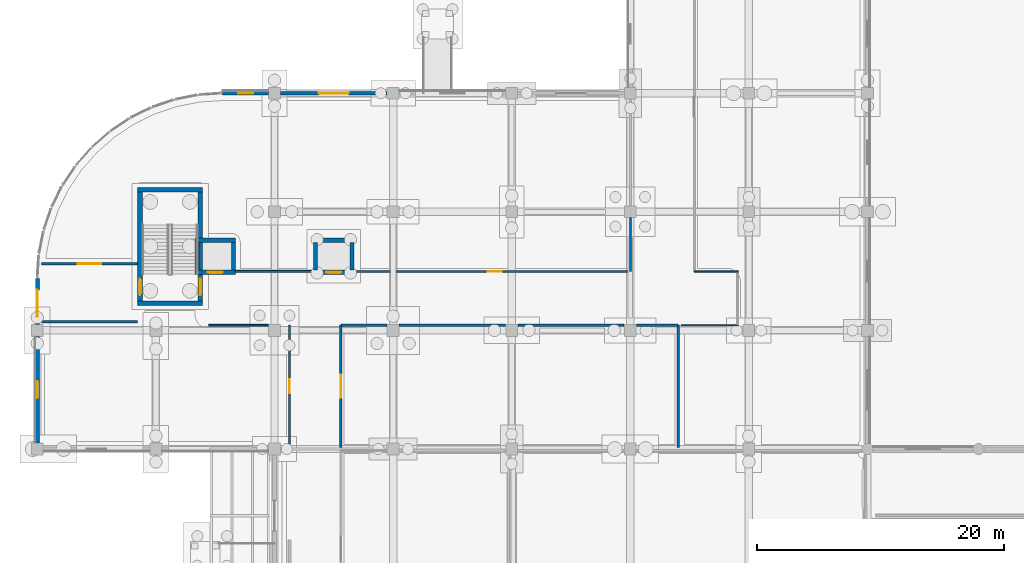
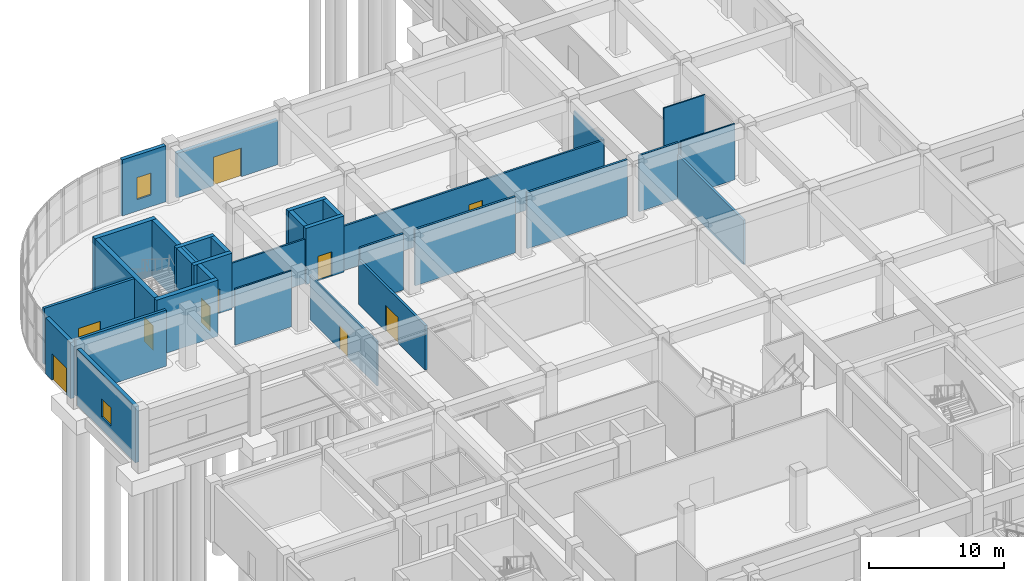
# One storey, part 34 of 74: 31 walls, 10 doors, 2 windows, 12 openings.
"""IFC4 building model written with IfcOpenShell, lengths in metres."""

from ifc_helpers import new_model, si_unit, direction, frame, frame_2d, origin, place, context, subcontext, project, spatial, rectangle, extrude, material, layer, layer_set, type_object, element, fill, save


model = new_model("IFC4")

# Units and contexts
model_context = context("Model", 3, precision=1e-05, world=origin(), true_north=direction((0.0, 1.0)))
body_context = subcontext(model_context, "Body", "Model", "MODEL_VIEW")
ifc_project = project(units=[si_unit("LENGTHUNIT", "METRE"), si_unit("AREAUNIT", "SQUARE_METRE"), si_unit("VOLUMEUNIT", "CUBIC_METRE"), si_unit("PLANEANGLEUNIT", "RADIAN"), si_unit("MASSUNIT", "GRAM", prefix="KILO")], contexts=[model_context])

# Site, building, storey
site_placement = place(None, origin())
site = spatial("IfcSite", under=ifc_project, at=site_placement, CompositionType="ELEMENT")
building_placement = place(site_placement, origin())
building = spatial("IfcBuilding", under=site, at=building_placement, Name="Cendralis Terraced Arcade", CompositionType="ELEMENT")
storey_placement = place(building_placement, origin())
storey = spatial("IfcBuildingStorey", under=building, at=storey_placement, Name="L00", CompositionType="ELEMENT", Elevation=0.0)

# Wall, opening, door
ifc_material_1 = material(Name="Gypsum plasterboard acoustic partition", Category="concrete")
ifc_layer_1 = layer(ifc_material_1, 0.195068359375, Name="WL-ACOU-195")
ifc_layer_set_1 = layer_set([ifc_layer_1], Name="Gypsum plasterboard acoustic partition")
wall_type_1 = type_object("IfcWallType", Name="WL-ACOU-195", PredefinedType="PARTITIONING", material=ifc_layer_set_1)
wall_1_placement = place(storey_placement, frame((24.580078125, 60.1201171875, 0.0), z_axis=(0.0, 0.0, 1.0), x_axis=(0.0, 1.0, 0.0)))
wall_1 = element("IfcWall", 1, at=wall_1_placement, inside=storey, type_object=wall_type_1, Name="Interior Partition Wall IW-L00-0251", PredefinedType="PARTITIONING", context=body_context, shape_type="SweptSolid", body=[
    extrude(rectangle(XDim=9.89990234375, YDim=0.195068359375, at=frame_2d((4.949951171875, 0.0))), origin(), (0.0, 0.0, 1.0), 4.030029296875),
])
opening_1_placement = place(wall_1_placement, frame((4.02490234375, 0.0, 0.0)))
opening_1 = element("IfcOpeningElement", 2, at=opening_1_placement, cuts=wall_1, Name="Opening D-L00-073", PredefinedType="OPENING", context=body_context, shape_type="SweptSolid", body=[
    extrude(rectangle(XDim=1.85009765625, YDim=2.35009765625, at=frame_2d((0.925048828125, 1.175048828125))), frame((0.0, 0.109375, 0.0), z_axis=(0.0, -1.0, 0.0), x_axis=(1.0, 0.0, 0.0)), (0.0, 0.0, 1.0), 0.218994140625),
])
ifc_material_2 = material(Name="Solid core Andean oak veneer door leaf", Category="aluminium")
door_type_1 = type_object("IfcDoorType", Name="ID-DEP-1850x2350", OperationType="DOUBLE_DOOR_SINGLE_SWING", PredefinedType="DOOR", material=ifc_material_2)
door_1_placement = place(opening_1_placement, origin())
door_1 = element("IfcDoor", 3, at=door_1_placement, inside=storey, type_object=door_type_1, Name="Homeware and Furniture Showroom - Ground Gallery Door D-L00-073", OperationType="DOUBLE_DOOR_SINGLE_SWING", OverallHeight=2.35009765625, OverallWidth=1.85009765625, PredefinedType="DOOR", context=body_context, shape_type="SweptSolid", body=[
    extrude(rectangle(XDim=1.85009765625, YDim=2.35009765625, at=frame_2d((0.925048828125, 1.175048828125))), frame((0.0, 0.02490234375, 0.0), z_axis=(0.0, -1.0, 0.0), x_axis=(1.0, 0.0, 0.0)), (0.0, 0.0, 1.0), 0.050048828125),
])
fill(opening_1, door_1)

ifc_material_3 = material(Name="Concrete f'c 42 MPa", Category="concrete")
ifc_layer_2 = layer(ifc_material_3, 0.340087890625, Name="WL-CORE-340")
ifc_layer_set_2 = layer_set([ifc_layer_2], Name="Concrete f'c 42 MPa")
wall_type_2 = type_object("IfcWallType", Name="WL-CORE-340", PredefinedType="SHEAR", material=ifc_layer_set_2)
wall_2_placement = place(storey_placement, frame((12.760009765625, 74.304931640625, 0.0), z_axis=(0.0, 0.0, 1.0), x_axis=(1.0, 0.0, 0.0)))
wall_2 = element("IfcWall", 4, at=wall_2_placement, inside=storey, type_object=wall_type_2, Name="Lift PL-05 Reinforced Concrete Shaft Wall (L00)", PredefinedType="SHEAR", context=body_context, shape_type="SweptSolid", body=[
    extrude(rectangle(XDim=3.280029296875, YDim=0.340087890625, at=frame_2d((1.64013671875, 0.0))), origin(), (0.0, 0.0, 1.0), 5.090087890625),
])
opening_2_placement = place(wall_2_placement, frame((1.0400390625, 0.0, 0.0)))
opening_2 = element("IfcOpeningElement", 5, at=opening_2_placement, cuts=wall_2, Name="Opening LD-PL-05-L00", PredefinedType="OPENING", context=body_context, shape_type="SweptSolid", body=[
    extrude(rectangle(XDim=1.199951171875, YDim=2.199951171875, at=frame_2d((0.60009765625, 1.10009765625))), frame((0.0, 0.18212890625, 0.0), z_axis=(0.0, -1.0, 0.0), x_axis=(1.0, 0.0, 0.0)), (0.0, 0.0, 1.0), 0.364013671875),
])
ifc_material_4 = material(Name="Anodised aluminium sliding door assembly", Category="aluminium")
door_type_2 = type_object("IfcDoorType", Name="ID-LD-PX-1200x2200", OperationType="DOUBLE_DOOR_SLIDING", PredefinedType="DOOR", material=ifc_material_4)
door_2_placement = place(opening_2_placement, origin())
door_2 = element("IfcDoor", 6, at=door_2_placement, inside=storey, type_object=door_type_2, Name="Lift PL-05 Sliding Landing Door (L00)", OperationType="DOUBLE_DOOR_SLIDING", OverallHeight=2.199951171875, OverallWidth=1.199951171875, PredefinedType="DOOR", context=body_context, shape_type="SweptSolid", body=[
    extrude(rectangle(XDim=1.199951171875, YDim=2.199951171875, at=frame_2d((0.60009765625, 1.10009765625))), frame((0.0, 0.02490234375, 0.0), z_axis=(0.0, -1.0, 0.0), x_axis=(1.0, 0.0, 0.0)), (0.0, 0.0, 1.0), 0.050048828125),
])
fill(opening_2, door_2)

# Walls
wall_3_placement = place(storey_placement, frame((12.760009765625, 76.89501953125, 0.0), z_axis=(0.0, 0.0, 1.0), x_axis=(1.0, 0.0, 0.0)))
element("IfcWall", 7, at=wall_3_placement, inside=storey, type_object=wall_type_2, Name="Lift PL-05 Reinforced Concrete Shaft Wall (L00)", PredefinedType="SHEAR", context=body_context, shape_type="SweptSolid", body=[
    extrude(rectangle(XDim=3.280029296875, YDim=0.340087890625, at=frame_2d((1.64013671875, 0.0))), origin(), (0.0, 0.0, 1.0), 5.090087890625),
])
for number, where, z_axis, x_axis, name in (
    (8, (12.929931640625, 74.47509765625, 0.0), (0.0, 0.0, 1.0), (0.0, 1.0, 0.0), "Lift PL-05 Reinforced Concrete Shaft Wall (L00)"),
    (9, (15.8701171875, 74.47509765625, 0.0), (0.0, 0.0, 1.0), (0.0, 1.0, 0.0), "Lift PL-05 Reinforced Concrete Shaft Wall (L00)"),
):
    element("IfcWall", number, at=place(storey_placement, frame(where, z_axis=z_axis, x_axis=x_axis)), inside=storey, type_object=wall_type_2, Name=name, PredefinedType="SHEAR", context=body_context, shape_type="SweptSolid", body=[
        extrude(rectangle(XDim=2.25, YDim=0.340087890625, at=frame_2d((1.125, 0.0))), origin(), (0.0, 0.0, 1.0), 5.090087890625),
    ])

# Wall, opening, door
wall_4_placement = place(storey_placement, frame((22.360107421875, 74.304931640625, 0.0), z_axis=(0.0, 0.0, 1.0), x_axis=(1.0, 0.0, 0.0)))
wall_4 = element("IfcWall", 10, at=wall_4_placement, inside=storey, type_object=wall_type_2, Name="Lift PL-06 Reinforced Concrete Shaft Wall (L00)", PredefinedType="SHEAR", context=body_context, shape_type="SweptSolid", body=[
    extrude(rectangle(XDim=3.27978515625, YDim=0.340087890625, at=frame_2d((1.639892578125, 0.0))), origin(), (0.0, 0.0, 1.0), 5.090087890625),
])
opening_3_placement = place(wall_4_placement, frame((1.0400390625, 0.0, 0.0)))
opening_3 = element("IfcOpeningElement", 11, at=opening_3_placement, cuts=wall_4, Name="Opening LD-PL-06-L00", PredefinedType="OPENING", context=body_context, shape_type="SweptSolid", body=[
    extrude(rectangle(XDim=1.199951171875, YDim=2.199951171875, at=frame_2d((0.60009765625, 1.10009765625))), frame((0.0, 0.18212890625, 0.0), z_axis=(0.0, -1.0, 0.0), x_axis=(1.0, 0.0, 0.0)), (0.0, 0.0, 1.0), 0.364013671875),
])
door_3_placement = place(opening_3_placement, origin())
door_3 = element("IfcDoor", 12, at=door_3_placement, inside=storey, type_object=door_type_2, Name="Lift PL-06 Sliding Landing Door (L00)", OperationType="DOUBLE_DOOR_SLIDING", OverallHeight=2.199951171875, OverallWidth=1.199951171875, PredefinedType="DOOR", context=body_context, shape_type="SweptSolid", body=[
    extrude(rectangle(XDim=1.199951171875, YDim=2.199951171875, at=frame_2d((0.60009765625, 1.10009765625))), frame((0.0, 0.02490234375, 0.0), z_axis=(0.0, -1.0, 0.0), x_axis=(1.0, 0.0, 0.0)), (0.0, 0.0, 1.0), 0.050048828125),
])
fill(opening_3, door_3)

# Walls
wall_5_placement = place(storey_placement, frame((22.360107421875, 76.89501953125, 0.0), z_axis=(0.0, 0.0, 1.0), x_axis=(1.0, 0.0, 0.0)))
element("IfcWall", 13, at=wall_5_placement, inside=storey, type_object=wall_type_2, Name="Lift PL-06 Reinforced Concrete Shaft Wall (L00)", PredefinedType="SHEAR", context=body_context, shape_type="SweptSolid", body=[
    extrude(rectangle(XDim=3.27978515625, YDim=0.340087890625, at=frame_2d((1.639892578125, 0.0))), origin(), (0.0, 0.0, 1.0), 5.090087890625),
])
for number, where, z_axis, x_axis, name in (
    (14, (22.530029296875, 74.47509765625, 0.0), (0.0, 0.0, 1.0), (0.0, 1.0, 0.0), "Lift PL-06 Reinforced Concrete Shaft Wall (L00)"),
    (15, (25.469970703125, 74.47509765625, 0.0), (0.0, 0.0, 1.0), (0.0, 1.0, 0.0), "Lift PL-06 Reinforced Concrete Shaft Wall (L00)"),
):
    element("IfcWall", number, at=place(storey_placement, frame(where, z_axis=z_axis, x_axis=x_axis)), inside=storey, type_object=wall_type_2, Name=name, PredefinedType="SHEAR", context=body_context, shape_type="SweptSolid", body=[
        extrude(rectangle(XDim=2.25, YDim=0.340087890625, at=frame_2d((1.125, 0.0))), origin(), (0.0, 0.0, 1.0), 5.090087890625),
    ])
ifc_layer_3 = layer(ifc_material_3, 0.3798828125, Name="WL-CORE-380")
ifc_layer_set_3 = layer_set([ifc_layer_3], Name="Concrete f'c 42 MPa")
wall_type_3 = type_object("IfcWallType", Name="WL-CORE-380", PredefinedType="SHEAR", material=ifc_layer_set_3)
for number, where, z_axis, x_axis, name in (
    (16, (8.1201171875, 71.81005859375, 0.0), (0.0, 0.0, 1.0), (1.0, 0.0, 0.0), "Stair Core Reinforced Concrete Shear Wall SW-ST-07-L00-S"),
    (17, (8.1201171875, 80.989990234375, 0.0), (0.0, 0.0, 1.0), (1.0, 0.0, 0.0), "Stair Core Reinforced Concrete Shear Wall SW-ST-07-L00-N"),
):
    element("IfcWall", number, at=place(storey_placement, frame(where, z_axis=z_axis, x_axis=x_axis)), inside=storey, type_object=wall_type_3, Name=name, PredefinedType="SHEAR", context=body_context, shape_type="SweptSolid", body=[
        extrude(rectangle(XDim=5.259765625, YDim=0.3798828125, at=frame_2d((2.6298828125, 0.0))), origin(), (0.0, 0.0, 1.0), 5.090087890625),
    ])

# Wall, opening, door
wall_6_placement = place(storey_placement, frame((13.18994140625, 72.0, 0.0), z_axis=(0.0, 0.0, 1.0), x_axis=(0.0, 1.0, 0.0)))
wall_6 = element("IfcWall", 18, at=wall_6_placement, inside=storey, type_object=wall_type_3, Name="Stair Core Reinforced Concrete Shear Wall SW-ST-07-L00-E", PredefinedType="SHEAR", context=body_context, shape_type="SweptSolid", body=[
    extrude(rectangle(XDim=8.800048828125, YDim=0.3798828125, at=frame_2d((4.39990234375, 0.0))), origin(), (0.0, 0.0, 1.0), 5.090087890625),
])
opening_4_placement = place(wall_6_placement, frame((0.449951171875, 0.0, 0.0)))
opening_4 = element("IfcOpeningElement", 19, at=opening_4_placement, cuts=wall_6, Name="Opening D-ST-07-L00", PredefinedType="OPENING", context=body_context, shape_type="SweptSolid", body=[
    extrude(rectangle(XDim=1.35009765625, YDim=2.199951171875, at=frame_2d((0.675048828125, 1.10009765625))), frame((0.0, 0.201904296875, 0.0), z_axis=(0.0, -1.0, 0.0), x_axis=(1.0, 0.0, 0.0)), (0.0, 0.0, 1.0), 0.40380859375),
])
ifc_material_5 = material(Name="Galvanised fire-rated steel door assembly", Category="steel")
door_type_3 = type_object("IfcDoorType", Name="ID-ST-1350x2200", OperationType="NOTDEFINED", PredefinedType="DOOR", material=ifc_material_5)
door_4_placement = place(opening_4_placement, origin())
door_4 = element("IfcDoor", 20, at=door_4_placement, inside=storey, type_object=door_type_3, Name="Protected Stair ST-07 Fire Door (L00)", OperationType="SINGLE_SWING_LEFT", OverallHeight=2.199951171875, OverallWidth=1.35009765625, PredefinedType="DOOR", context=body_context, shape_type="SweptSolid", body=[
    extrude(rectangle(XDim=1.35009765625, YDim=2.199951171875, at=frame_2d((0.675048828125, 1.10009765625))), frame((0.0, 0.02490234375, 0.0), z_axis=(0.0, -1.0, 0.0), x_axis=(1.0, 0.0, 0.0)), (0.0, 0.0, 1.0), 0.050048828125),
])
fill(opening_4, door_4)

wall_7_placement = place(storey_placement, frame((8.31005859375, 72.0, 0.0), z_axis=(0.0, 0.0, 1.0), x_axis=(0.0, 1.0, 0.0)))
wall_7 = element("IfcWall", 21, at=wall_7_placement, inside=storey, type_object=wall_type_3, Name="Stair Core Reinforced Concrete Shear Wall SW-ST-07-L00-W", PredefinedType="SHEAR", context=body_context, shape_type="SweptSolid", body=[
    extrude(rectangle(XDim=8.800048828125, YDim=0.3798828125, at=frame_2d((4.39990234375, 0.0))), origin(), (0.0, 0.0, 1.0), 5.090087890625),
])
opening_5_placement = place(wall_7_placement, frame((0.449951171875, 0.0, 0.0)))
opening_5 = element("IfcOpeningElement", 22, at=opening_5_placement, cuts=wall_7, Name="Opening D-ST-07-EXP", PredefinedType="OPENING", context=body_context, shape_type="SweptSolid", body=[
    extrude(rectangle(XDim=1.35009765625, YDim=2.199951171875, at=frame_2d((0.675048828125, 1.10009765625))), frame((0.0, 0.201904296875, 0.0), z_axis=(0.0, -1.0, 0.0), x_axis=(1.0, 0.0, 0.0)), (0.0, 0.0, 1.0), 0.40380859375),
])
door_5_placement = place(opening_5_placement, frame((1.35009765625, 0.0, 0.0), z_axis=(0.0, 0.0, 1.0), x_axis=(-1.0, 0.0, 0.0)))
door_5 = element("IfcDoor", 23, at=door_5_placement, inside=storey, type_object=door_type_3, Name="Stair ST-07 Exit Passage Discharge Door", OperationType="SINGLE_SWING_RIGHT", OverallHeight=2.199951171875, OverallWidth=1.35009765625, PredefinedType="DOOR", context=body_context, shape_type="SweptSolid", body=[
    extrude(rectangle(XDim=1.35009765625, YDim=2.199951171875, at=frame_2d((0.675048828125, 1.10009765625))), frame((0.0, 0.02490234375, 0.0), z_axis=(0.0, -1.0, 0.0), x_axis=(1.0, 0.0, 0.0)), (0.0, 0.0, 1.0), 0.050048828125),
])
fill(opening_5, door_5)

# Wall, opening, window
ifc_material_6 = material(Name="Precast concrete f'c 40 MPa", Category="concrete")
ifc_layer_4 = layer(ifc_material_6, 0.320068359375, Name="WL-EXT-GRC-320")
ifc_layer_set_4 = layer_set([ifc_layer_4], Name="Precast concrete f'c 40 MPa")
wall_type_4 = type_object("IfcWallType", Name="WL-EXT-GRC-320", PredefinedType="SOLIDWALL", material=ifc_layer_set_4)
wall_8_placement = place(storey_placement, frame((0.0, 60.472900390625, 0.0), z_axis=(0.0, 0.0, 1.0), x_axis=(0.0, 1.0, 0.0)))
wall_8 = element("IfcWall", 24, at=wall_8_placement, inside=storey, type_object=wall_type_4, Name="Exterior Architectural Wall EW-L00-0025", PredefinedType="SOLIDWALL", context=body_context, shape_type="SweptSolid", body=[
    extrude(rectangle(XDim=8.654052734375, YDim=0.320068359375, at=frame_2d((4.3271484375, 0.0))), origin(), (0.0, 0.0, 1.0), 5.090087890625),
])
opening_6_placement = place(wall_8_placement, frame((3.626953125, 0.0, 1.14990234375)))
opening_6 = element("IfcOpeningElement", 25, at=opening_6_placement, cuts=wall_8, Name="Opening W-29", PredefinedType="OPENING", context=body_context, shape_type="SweptSolid", body=[
    extrude(rectangle(XDim=1.39990234375, YDim=1.64990234375, at=frame_2d((0.699951171875, 0.824951171875))), frame((0.0, 0.171875, 0.0), z_axis=(0.0, -1.0, 0.0), x_axis=(1.0, 0.0, 0.0)), (0.0, 0.0, 1.0), 0.343994140625),
])
ifc_material_7 = material(Name="Tempered solar control laminated glass", Category="glass")
window_type_1 = type_object("IfcWindowType", Name="WN-F3-1400x1650", PartitioningType="SINGLE_PANEL", PredefinedType="WINDOW", material=ifc_material_7)
window_1_placement = place(opening_6_placement, origin())
window_1 = element("IfcWindow", 26, at=window_1_placement, inside=storey, type_object=window_type_1, Name="Exterior Solar-Control Window WN-L00-0011", OverallHeight=1.64990234375, OverallWidth=1.39990234375, PartitioningType="SINGLE_PANEL", PredefinedType="WINDOW", context=body_context, shape_type="SweptSolid", body=[
    extrude(rectangle(XDim=1.39990234375, YDim=1.64990234375, at=frame_2d((0.699951171875, 0.824951171875))), frame((0.0, 0.030029296875, 0.0), z_axis=(0.0, -1.0, 0.0), x_axis=(1.0, 0.0, 0.0)), (0.0, 0.0, 1.0), 0.06005859375),
])
fill(opening_6, window_1)

# Wall, opening, door
wall_9_placement = place(storey_placement, frame((0.0, 70.074951171875, 0.0), z_axis=(0.0, 0.0, 1.0), x_axis=(0.0, 1.0, 0.0)))
wall_9 = element("IfcWall", 27, at=wall_9_placement, inside=storey, type_object=wall_type_4, Name="Exterior Architectural Wall EW-L00-0026", PredefinedType="SOLIDWALL", context=body_context, shape_type="SweptSolid", body=[
    extrude(rectangle(XDim=3.72509765625, YDim=0.320068359375, at=frame_2d((1.862548828125, 0.0))), origin(), (0.0, 0.0, 1.0), 5.090087890625),
])
opening_7_placement = place(wall_9_placement, frame((0.64990234375, 0.0, 0.0)))
opening_7 = element("IfcOpeningElement", 28, at=opening_7_placement, cuts=wall_9, Name="Opening EX-07", PredefinedType="OPENING", context=body_context, shape_type="SweptSolid", body=[
    extrude(rectangle(XDim=2.14990234375, YDim=2.39990234375, at=frame_2d((1.074951171875, 1.199951171875))), frame((0.0, 0.171875, 0.0), z_axis=(0.0, -1.0, 0.0), x_axis=(1.0, 0.0, 0.0)), (0.0, 0.0, 1.0), 0.343994140625),
])
ifc_material_8 = material(Name="Powder-coated thermally broken aluminium and glass", Category="aluminium")
door_type_4 = type_object("IfcDoorType", Name="ED-STAIR-2150x2400", OperationType="DOUBLE_DOOR_SINGLE_SWING", PredefinedType="DOOR", material=ifc_material_8)
door_6_placement = place(opening_7_placement, origin())
door_6 = element("IfcDoor", 29, at=door_6_placement, inside=storey, type_object=door_type_4, Name="Stair ST-07 Final Exit Door EX-07", OperationType="DOUBLE_DOOR_SINGLE_SWING", OverallHeight=2.39990234375, OverallWidth=2.14990234375, PredefinedType="DOOR", context=body_context, shape_type="SweptSolid", body=[
    extrude(rectangle(XDim=2.14990234375, YDim=2.39990234375, at=frame_2d((1.074951171875, 1.199951171875))), frame((0.0, 0.02490234375, 0.0), z_axis=(0.0, -1.0, 0.0), x_axis=(1.0, 0.0, 0.0)), (0.0, 0.0, 1.0), 0.050048828125),
])
fill(opening_7, door_6)

# Wall, opening, window
wall_10_placement = place(storey_placement, frame((15.0, 88.800048828125, 0.0), z_axis=(0.0, 0.0, 1.0), x_axis=(1.0, 0.0, 0.0)))
wall_10 = element("IfcWall", 30, at=wall_10_placement, inside=storey, type_object=wall_type_4, Name="Exterior Architectural Wall EW-L00-0027", PredefinedType="SOLIDWALL", context=body_context, shape_type="SweptSolid", body=[
    extrude(rectangle(XDim=3.72705078125, YDim=0.320068359375, at=frame_2d((1.863525390625, 0.0))), origin(), (0.0, 0.0, 1.0), 5.090087890625),
])
opening_8_placement = place(wall_10_placement, frame((1.263427734375, 0.0, 1.050048828125)))
opening_8 = element("IfcOpeningElement", 31, at=opening_8_placement, cuts=wall_10, Name="Opening W-07", PredefinedType="OPENING", context=body_context, shape_type="SweptSolid", body=[
    extrude(rectangle(XDim=1.199951171875, YDim=2.0, at=frame_2d((0.60009765625, 1.0))), frame((0.0, 0.171875, 0.0), z_axis=(0.0, -1.0, 0.0), x_axis=(1.0, 0.0, 0.0)), (0.0, 0.0, 1.0), 0.343994140625),
])
window_type_2 = type_object("IfcWindowType", Name="WN-F1-1200x2000", PartitioningType="SINGLE_PANEL", PredefinedType="WINDOW", material=ifc_material_7)
window_2_placement = place(opening_8_placement, origin())
window_2 = element("IfcWindow", 32, at=window_2_placement, inside=storey, type_object=window_type_2, Name="Exterior Solar-Control Window WN-L00-0012", OverallHeight=2.0, OverallWidth=1.199951171875, PartitioningType="SINGLE_PANEL", PredefinedType="WINDOW", context=body_context, shape_type="SweptSolid", body=[
    extrude(rectangle(XDim=1.199951171875, YDim=2.0, at=frame_2d((0.60009765625, 1.0))), frame((0.0, 0.030029296875, 0.0), z_axis=(0.0, -1.0, 0.0), x_axis=(1.0, 0.0, 0.0)), (0.0, 0.0, 1.0), 0.06005859375),
])
fill(opening_8, window_2)

# Wall, opening, door
wall_11_placement = place(storey_placement, frame((19.675048828125, 88.800048828125, 0.0), z_axis=(0.0, 0.0, 1.0), x_axis=(1.0, 0.0, 0.0)))
wall_11 = element("IfcWall", 33, at=wall_11_placement, inside=storey, type_object=wall_type_4, Name="Exterior Architectural Wall EW-L00-0028", PredefinedType="SOLIDWALL", context=body_context, shape_type="SweptSolid", body=[
    extrude(rectangle(XDim=8.64990234375, YDim=0.320068359375, at=frame_2d((4.324951171875, 0.0))), origin(), (0.0, 0.0, 1.0), 4.030029296875),
])
opening_9_placement = place(wall_11_placement, frame((3.125, 0.0, 0.0)))
opening_9 = element("IfcOpeningElement", 34, at=opening_9_placement, cuts=wall_11, Name="Opening EX-14", PredefinedType="OPENING", context=body_context, shape_type="SweptSolid", body=[
    extrude(rectangle(XDim=2.39990234375, YDim=2.60009765625, at=frame_2d((1.199951171875, 1.300048828125))), frame((0.0, 0.171875, 0.0), z_axis=(0.0, -1.0, 0.0), x_axis=(1.0, 0.0, 0.0)), (0.0, 0.0, 1.0), 0.343994140625),
])
door_type_5 = type_object("IfcDoorType", Name="ED-MAIN-2200x2600", OperationType="DOUBLE_DOOR_SINGLE_SWING", PredefinedType="DOOR", material=ifc_material_8)
door_7_placement = place(opening_9_placement, origin())
door_7 = element("IfcDoor", 35, at=door_7_placement, inside=storey, type_object=door_type_5, Name="Northwest Forecourt Entrance EX-14", OperationType="DOUBLE_DOOR_SINGLE_SWING", OverallHeight=2.60009765625, OverallWidth=2.39990234375, PredefinedType="DOOR", context=body_context, shape_type="SweptSolid", body=[
    extrude(rectangle(XDim=2.39990234375, YDim=2.60009765625, at=frame_2d((1.199951171875, 1.300048828125))), frame((0.0, 0.02490234375, 0.0), z_axis=(0.0, -1.0, 0.0), x_axis=(1.0, 0.0, 0.0)), (0.0, 0.0, 1.0), 0.050048828125),
])
fill(opening_9, door_7)

# Wall
ifc_material_9 = material(Name="Autoclaved aerated concrete blockwork", Category="masonry")
ifc_layer_5 = layer(ifc_material_9, 0.235107421875, Name="WL-FIRE-235")
ifc_layer_set_5 = layer_set([ifc_layer_5], Name="Autoclaved aerated concrete blockwork")
wall_type_5 = type_object("IfcWallType", Name="WL-FIRE-235", PredefinedType="PARTITIONING", material=ifc_layer_set_5)
wall_12_placement = place(storey_placement, frame((0.35009765625, 70.300048828125, 0.0), z_axis=(0.0, 0.0, 1.0), x_axis=(1.0, 0.0, 0.0)))
element("IfcWall", 36, at=wall_12_placement, inside=storey, type_object=wall_type_5, Name="Protected Exit Passage 2-Hour Wall EP-ST07-S", PredefinedType="PARTITIONING", context=body_context, shape_type="SweptSolid", body=[
    extrude(rectangle(XDim=7.75, YDim=0.235107421875, at=frame_2d((3.875, 0.0))), origin(), (0.0, 0.0, 1.0), 5.090087890625),
])

# Wall, opening, door
wall_13_placement = place(storey_placement, frame((0.35009765625, 75.0, 0.0), z_axis=(0.0, 0.0, 1.0), x_axis=(1.0, 0.0, 0.0)))
wall_13 = element("IfcWall", 37, at=wall_13_placement, inside=storey, type_object=wall_type_5, Name="Protected Exit Passage 2-Hour Wall EP-ST07-N", PredefinedType="PARTITIONING", context=body_context, shape_type="SweptSolid", body=[
    extrude(rectangle(XDim=7.75, YDim=0.235107421875, at=frame_2d((3.875, 0.0))), origin(), (0.0, 0.0, 1.0), 5.090087890625),
])
opening_10_placement = place(wall_13_placement, frame((2.925048828125, 0.0, 0.0)))
opening_10 = element("IfcOpeningElement", 38, at=opening_10_placement, cuts=wall_13, Name="Opening D-EP-ST07-N", PredefinedType="OPENING", context=body_context, shape_type="SweptSolid", body=[
    extrude(rectangle(XDim=1.89990234375, YDim=2.25, at=frame_2d((0.949951171875, 1.125))), frame((0.0, 0.12939453125, 0.0), z_axis=(0.0, -1.0, 0.0), x_axis=(1.0, 0.0, 0.0)), (0.0, 0.0, 1.0), 0.259033203125),
])
door_type_6 = type_object("IfcDoorType", Name="ID-EXP-1900x2250", OperationType="DOUBLE_DOOR_SINGLE_SWING", PredefinedType="DOOR", material=ifc_material_5)
door_8_placement = place(opening_10_placement, origin())
door_8 = element("IfcDoor", 39, at=door_8_placement, inside=storey, type_object=door_type_6, Name="Protected Exit Passage Fire Door EP-ST07-N", OperationType="DOUBLE_DOOR_SINGLE_SWING", OverallHeight=2.25, OverallWidth=1.89990234375, PredefinedType="DOOR", context=body_context, shape_type="SweptSolid", body=[
    extrude(rectangle(XDim=1.89990234375, YDim=2.25, at=frame_2d((0.949951171875, 1.125))), frame((0.0, 0.02490234375, 0.0), z_axis=(0.0, -1.0, 0.0), x_axis=(1.0, 0.0, 0.0)), (0.0, 0.0, 1.0), 0.050048828125),
])
fill(opening_10, door_8)

# Walls
ifc_layer_6 = layer(ifc_material_1, 0.112060546875, Name="WL-PART-112")
ifc_layer_set_6 = layer_set([ifc_layer_6], Name="Gypsum plasterboard acoustic partition")
wall_type_6 = type_object("IfcWallType", Name="WL-PART-112", PredefinedType="PARTITIONING", material=ifc_layer_set_6)
wall_14_placement = place(storey_placement, frame((56.73388671875, 74.3798828125, 0.0), z_axis=(0.0, 0.0, 1.0), x_axis=(-1.0, 0.0, 0.0)))
element("IfcWall", 40, at=wall_14_placement, inside=storey, type_object=wall_type_6, Name="Interior Partition Wall IW-L00-0267", PredefinedType="PARTITIONING", context=body_context, shape_type="SweptSolid", body=[
    extrude(rectangle(XDim=3.553955078125, YDim=0.112060546875, at=frame_2d((1.77685546875, 0.0))), origin(), (0.0, 0.0, 1.0), 5.090087890625),
])
ifc_layer_7 = layer(ifc_material_1, 0.114990234375, Name="WL-PART-115")
ifc_layer_set_7 = layer_set([ifc_layer_7], Name="Gypsum plasterboard acoustic partition")
wall_type_7 = type_object("IfcWallType", Name="WL-PART-115", PredefinedType="PARTITIONING", material=ifc_layer_set_7)
wall_15_placement = place(storey_placement, frame((52.1201171875, 70.02001953125, 0.0), z_axis=(0.0, 0.0, 1.0), x_axis=(1.0, 0.0, 0.0)))
element("IfcWall", 41, at=wall_15_placement, inside=storey, type_object=wall_type_7, Name="Interior Partition Wall IW-L00-0266", PredefinedType="PARTITIONING", context=body_context, shape_type="SweptSolid", body=[
    extrude(rectangle(XDim=4.61376953125, YDim=0.114990234375, at=frame_2d((2.306884765625, 0.0))), origin(), (0.0, 0.0, 1.0), 5.090087890625),
])
ifc_layer_8 = layer(ifc_material_1, 0.134033203125, Name="WL-PART-134")
ifc_layer_set_8 = layer_set([ifc_layer_8], Name="Gypsum plasterboard acoustic partition")
wall_type_8 = type_object("IfcWallType", Name="WL-PART-134", PredefinedType="PARTITIONING", material=ifc_layer_set_8)
wall_16_placement = place(storey_placement, frame((13.8798828125, 70.02001953125, 0.0), z_axis=(0.0, 0.0, 1.0), x_axis=(1.0, 0.0, 0.0)))
element("IfcWall", 42, at=wall_16_placement, inside=storey, type_object=wall_type_8, Name="Interior Partition Wall IW-L00-0262", PredefinedType="PARTITIONING", context=body_context, shape_type="SweptSolid", body=[
    extrude(rectangle(XDim=4.8251953125, YDim=0.134033203125, at=frame_2d((2.41259765625, 0.0))), origin(), (0.0, 0.0, 1.0), 5.090087890625),
])

# Wall, opening, door
ifc_layer_9 = layer(ifc_material_1, 0.137939453125, Name="WL-PART-138")
ifc_layer_set_9 = layer_set([ifc_layer_9], Name="Gypsum plasterboard acoustic partition")
wall_type_9 = type_object("IfcWallType", Name="WL-PART-138", PredefinedType="PARTITIONING", material=ifc_layer_set_9)
wall_17_placement = place(storey_placement, frame((20.419921875, 70.02001953125, 0.0), z_axis=(0.0, 0.0, 1.0), x_axis=(0.0, -1.0, 0.0)))
wall_17 = element("IfcWall", 43, at=wall_17_placement, inside=storey, type_object=wall_type_9, Name="Interior Partition Wall IW-L00-0261", PredefinedType="PARTITIONING", context=body_context, shape_type="SweptSolid", body=[
    extrude(rectangle(XDim=9.89990234375, YDim=0.137939453125, at=frame_2d((4.949951171875, 0.0))), origin(), (0.0, 0.0, 1.0), 4.030029296875),
])
opening_11_placement = place(wall_17_placement, frame((4.389892578125, 0.0, 0.0)))
opening_11 = element("IfcOpeningElement", 44, at=opening_11_placement, cuts=wall_17, Name="Opening D-L00-075", PredefinedType="OPENING", context=body_context, shape_type="SweptSolid", body=[
    extrude(rectangle(XDim=1.1201171875, YDim=2.179931640625, at=frame_2d((0.56005859375, 1.08984375))), frame((0.0, 0.0810546875, 0.0), z_axis=(0.0, -1.0, 0.0), x_axis=(1.0, 0.0, 0.0)), (0.0, 0.0, 1.0), 0.161865234375),
])
door_type_7 = type_object("IfcDoorType", Name="ID-RM-1120x2180", OperationType="NOTDEFINED", PredefinedType="DOOR", material=ifc_material_2)
door_9_placement = place(opening_11_placement, origin())
door_9 = element("IfcDoor", 45, at=door_9_placement, inside=storey, type_object=door_type_7, Name="Homeware and Furniture Showroom - Ground Gallery Door D-L00-075", OperationType="SINGLE_SWING_RIGHT", OverallHeight=2.179931640625, OverallWidth=1.1201171875, PredefinedType="DOOR", context=body_context, shape_type="SweptSolid", body=[
    extrude(rectangle(XDim=1.1201171875, YDim=2.179931640625, at=frame_2d((0.56005859375, 1.08984375))), frame((0.0, 0.02490234375, 0.0), z_axis=(0.0, -1.0, 0.0), x_axis=(1.0, 0.0, 0.0)), (0.0, 0.0, 1.0), 0.050048828125),
])
fill(opening_11, door_9)

# Walls
ifc_layer_10 = layer(ifc_material_1, 0.14501953125, Name="WL-PART-145")
ifc_layer_set_10 = layer_set([ifc_layer_10], Name="Gypsum plasterboard acoustic partition")
wall_type_10 = type_object("IfcWallType", Name="WL-PART-145", PredefinedType="PARTITIONING", material=ifc_layer_set_10)
wall_18_placement = place(storey_placement, frame((48.02001953125, 78.705078125, 0.0), z_axis=(0.0, 0.0, 1.0), x_axis=(0.0, -1.0, 0.0)))
element("IfcWall", 46, at=wall_18_placement, inside=storey, type_object=wall_type_10, Name="Interior Partition Wall IW-L00-0260", PredefinedType="PARTITIONING", context=body_context, shape_type="SweptSolid", body=[
    extrude(rectangle(XDim=4.3251953125, YDim=0.14501953125, at=frame_2d((2.16259765625, 0.0))), origin(), (0.0, 0.0, 1.0), 4.030029296875),
])
ifc_layer_11 = layer(ifc_material_1, 0.14990234375, Name="WL-PART-150")
ifc_layer_set_11 = layer_set([ifc_layer_11], Name="Gypsum plasterboard acoustic partition")
wall_type_11 = type_object("IfcWallType", Name="WL-PART-150", PredefinedType="PARTITIONING", material=ifc_layer_set_11)
wall_19_placement = place(storey_placement, frame((22.360107421875, 74.3798828125, 0.0), z_axis=(0.0, 0.0, 1.0), x_axis=(-1.0, 0.0, 0.0)))
element("IfcWall", 47, at=wall_19_placement, inside=storey, type_object=wall_type_11, Name="Interior Partition Wall IW-L00-0259", PredefinedType="PARTITIONING", context=body_context, shape_type="SweptSolid", body=[
    extrude(rectangle(XDim=6.320068359375, YDim=0.14990234375, at=frame_2d((3.16015625, 0.0))), origin(), (0.0, 0.0, 1.0), 4.030029296875),
])

# Wall, opening, door
ifc_layer_12 = layer(ifc_material_1, 0.159912109375, Name="WL-PART-160")
ifc_layer_set_12 = layer_set([ifc_layer_12], Name="Gypsum plasterboard acoustic partition")
wall_type_12 = type_object("IfcWallType", Name="WL-PART-160", PredefinedType="PARTITIONING", material=ifc_layer_set_12)
wall_20_placement = place(storey_placement, frame((48.02001953125, 74.3798828125, 0.0), z_axis=(0.0, 0.0, 1.0), x_axis=(-1.0, 0.0, 0.0)))
wall_20 = element("IfcWall", 48, at=wall_20_placement, inside=storey, type_object=wall_type_12, Name="Interior Partition Wall IW-L00-0257", PredefinedType="PARTITIONING", context=body_context, shape_type="SweptSolid", body=[
    extrude(rectangle(XDim=22.380126953125, YDim=0.159912109375, at=frame_2d((11.18994140625, 0.0))), origin(), (0.0, 0.0, 1.0), 4.030029296875),
])
opening_12_placement = place(wall_20_placement, frame((10.411865234375, 0.0, 0.0)))
opening_12 = element("IfcOpeningElement", 49, at=opening_12_placement, cuts=wall_20, Name="Opening D-L00-074", PredefinedType="OPENING", context=body_context, shape_type="SweptSolid", body=[
    extrude(rectangle(XDim=1.14990234375, YDim=2.199951171875, at=frame_2d((0.574951171875, 1.10009765625))), frame((0.0, 0.091796875, 0.0), z_axis=(0.0, -1.0, 0.0), x_axis=(1.0, 0.0, 0.0)), (0.0, 0.0, 1.0), 0.183837890625),
])
door_type_8 = type_object("IfcDoorType", Name="ID-RM-1150x2200", OperationType="NOTDEFINED", PredefinedType="DOOR", material=ifc_material_2)
door_10_placement = place(opening_12_placement, origin())
door_10 = element("IfcDoor", 50, at=door_10_placement, inside=storey, type_object=door_type_8, Name="Homeware and Furniture Showroom - Ground Gallery Door D-L00-074", OperationType="SINGLE_SWING_LEFT", OverallHeight=2.199951171875, OverallWidth=1.14990234375, PredefinedType="DOOR", context=body_context, shape_type="SweptSolid", body=[
    extrude(rectangle(XDim=1.14990234375, YDim=2.199951171875, at=frame_2d((0.574951171875, 1.10009765625))), frame((0.0, 0.02490234375, 0.0), z_axis=(0.0, -1.0, 0.0), x_axis=(1.0, 0.0, 0.0)), (0.0, 0.0, 1.0), 0.050048828125),
])
fill(opening_12, door_10)

# Walls
ifc_layer_13 = layer(ifc_material_1, 0.169921875, Name="WL-PART-170")
ifc_layer_set_13 = layer_set([ifc_layer_13], Name="Gypsum plasterboard acoustic partition")
wall_type_13 = type_object("IfcWallType", Name="WL-PART-170", PredefinedType="PARTITIONING", material=ifc_layer_set_13)
wall_21_placement = place(storey_placement, frame((48.4951171875, 70.02001953125, 0.0), z_axis=(0.0, 0.0, 1.0), x_axis=(1.0, 0.0, 0.0)))
element("IfcWall", 51, at=wall_21_placement, inside=storey, type_object=wall_type_13, Name="Interior Partition Wall IW-L00-0256", PredefinedType="PARTITIONING", context=body_context, shape_type="SweptSolid", body=[
    extrude(rectangle(XDim=3.384765625, YDim=0.169921875, at=frame_2d((1.6923828125, 0.0))), origin(), (0.0, 0.0, 1.0), 5.090087890625),
])
ifc_layer_14 = layer(ifc_material_1, 0.175048828125, Name="WL-PART-175")
ifc_layer_set_14 = layer_set([ifc_layer_14], Name="Gypsum plasterboard acoustic partition")
wall_type_14 = type_object("IfcWallType", Name="WL-PART-175", PredefinedType="PARTITIONING", material=ifc_layer_set_14)
wall_22_placement = place(storey_placement, frame((24.580078125, 70.02001953125, 0.0), z_axis=(0.0, 0.0, 1.0), x_axis=(1.0, 0.0, 0.0)))
element("IfcWall", 52, at=wall_22_placement, inside=storey, type_object=wall_type_14, Name="Interior Partition Wall IW-L00-0255", PredefinedType="PARTITIONING", context=body_context, shape_type="SweptSolid", body=[
    extrude(rectangle(XDim=3.724853515625, YDim=0.175048828125, at=frame_2d((1.8623046875, 0.0))), origin(), (0.0, 0.0, 1.0), 5.090087890625),
])
ifc_layer_15 = layer(ifc_material_1, 0.179931640625, Name="WL-PART-180")
ifc_layer_set_15 = layer_set([ifc_layer_15], Name="Gypsum plasterboard acoustic partition")
wall_type_15 = type_object("IfcWallType", Name="WL-PART-180", PredefinedType="PARTITIONING", material=ifc_layer_set_15)
wall_23_placement = place(storey_placement, frame((38.89501953125, 70.02001953125, 0.0), z_axis=(0.0, 0.0, 1.0), x_axis=(1.0, 0.0, 0.0)))
element("IfcWall", 53, at=wall_23_placement, inside=storey, type_object=wall_type_15, Name="Interior Partition Wall IW-L00-0254", PredefinedType="PARTITIONING", context=body_context, shape_type="SweptSolid", body=[
    extrude(rectangle(XDim=8.60986328125, YDim=0.179931640625, at=frame_2d((4.304931640625, 0.0))), origin(), (0.0, 0.0, 1.0), 5.090087890625),
])
ifc_layer_16 = layer(ifc_material_1, 0.18505859375, Name="WL-PART-185")
ifc_layer_set_16 = layer_set([ifc_layer_16], Name="Gypsum plasterboard acoustic partition")
wall_type_16 = type_object("IfcWallType", Name="WL-PART-185", PredefinedType="PARTITIONING", material=ifc_layer_set_16)
wall_24_placement = place(storey_placement, frame((29.294921875, 70.02001953125, 0.0), z_axis=(0.0, 0.0, 1.0), x_axis=(1.0, 0.0, 0.0)))
element("IfcWall", 54, at=wall_24_placement, inside=storey, type_object=wall_type_16, Name="Interior Partition Wall IW-L00-0253", PredefinedType="PARTITIONING", context=body_context, shape_type="SweptSolid", body=[
    extrude(rectangle(XDim=8.610107421875, YDim=0.18505859375, at=frame_2d((4.30517578125, 0.0))), origin(), (0.0, 0.0, 1.0), 5.090087890625),
])
ifc_layer_17 = layer(ifc_material_1, 0.18994140625, Name="WL-PART-190")
ifc_layer_set_17 = layer_set([ifc_layer_17], Name="Gypsum plasterboard acoustic partition")
wall_type_17 = type_object("IfcWallType", Name="WL-PART-190", PredefinedType="PARTITIONING", material=ifc_layer_set_17)
wall_25_placement = place(storey_placement, frame((51.8798828125, 70.02001953125, 0.0), z_axis=(0.0, 0.0, 1.0), x_axis=(0.0, -1.0, 0.0)))
element("IfcWall", 55, at=wall_25_placement, inside=storey, type_object=wall_type_17, Name="Interior Partition Wall IW-L00-0252", PredefinedType="PARTITIONING", context=body_context, shape_type="SweptSolid", body=[
    extrude(rectangle(XDim=9.89990234375, YDim=0.18994140625, at=frame_2d((4.949951171875, 0.0))), origin(), (0.0, 0.0, 1.0), 4.030029296875),
])

save(model, "model.ifc")
